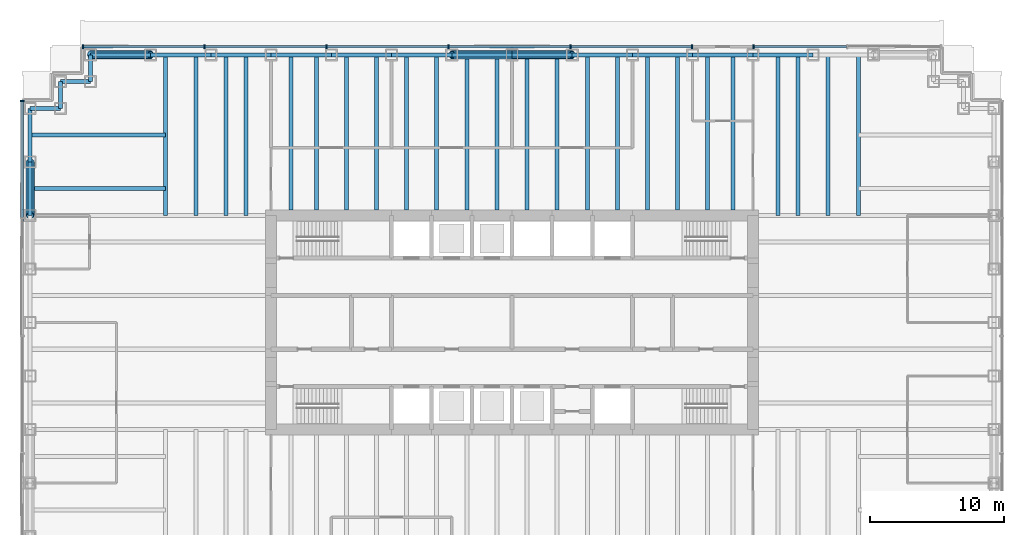
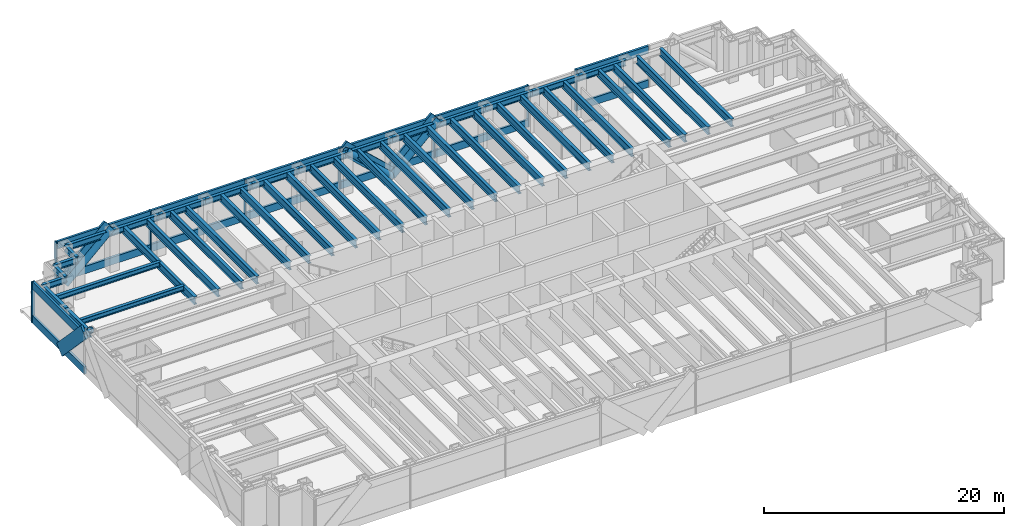
# One storey, part 4 of 14: 44 beams, 30 members, 3 elements without a shape of their own.
"""IFC4 building model written with IfcOpenShell, lengths in metres."""

from ifc_helpers import new_model, si_unit, direction, frame, origin, origin_2d, place, context, subcontext, project, spatial, rectangle, hollow_circle, i_section, extrude, material, material_profile, profile_set, type_object, element, aggregate, save


model = new_model("IFC4")

# Units and contexts
model_context = context("Model", 3, precision=1e-05, world=origin(), true_north=direction((0.0, 1.0)))
body_context = subcontext(model_context, "Body", "Model", "MODEL_VIEW")
ifc_project = project(units=[si_unit("LENGTHUNIT", "METRE"), si_unit("AREAUNIT", "SQUARE_METRE"), si_unit("VOLUMEUNIT", "CUBIC_METRE"), si_unit("PLANEANGLEUNIT", "RADIAN"), si_unit("MASSUNIT", "GRAM", prefix="KILO")], contexts=[model_context])

# Site, building, storey
site_placement = place(None, origin())
site = spatial("IfcSite", under=ifc_project, at=site_placement, CompositionType="ELEMENT")
building_placement = place(site_placement, origin())
building = spatial("IfcBuilding", under=site, at=building_placement, Name="Rheinbord Bourse Tower", CompositionType="ELEMENT")
storey_placement = place(building_placement, frame((0.0, 0.0, 185.800048828125)))
storey = spatial("IfcBuildingStorey", under=building, at=storey_placement, Name="L41", CompositionType="ELEMENT", Elevation=185.800048828125)

# Curtain wall, members
ifc_material_1 = material(Name="Dark glass and black aluminium", Category="aluminium")
curtain_wall_type = type_object("IfcCurtainWallType", Name="CW6 DARK GLASS CURTAIN WALL", PredefinedType="USERDEFINED", material=ifc_material_1)
curtain_wall_1_placement = place(storey_placement, origin())
curtain_wall_1 = element("IfcCurtainWall", 1, at=curtain_wall_1_placement, inside=storey, type_object=curtain_wall_type, Name="Curtain wall CW6 N L41", ObjectType="UNITISED CURTAIN WALL", PredefinedType="USERDEFINED")
ifc_material_2 = material(Name="Black anodised aluminium", Category="aluminium")
ifc_material_profile_1 = material_profile(ifc_material_2, rectangle(XDim=0.219970703125, YDim=1.2099609375, at=origin_2d()), Name="CW6 DIAGONAL MULLION 1210x220")
ifc_profile_set_1 = profile_set([ifc_material_profile_1], Name="Black anodised aluminium")
member_type_1 = type_object("IfcMemberType", Name="CW6 BLACK DIAGONAL MULLION", PredefinedType="USERDEFINED", material=ifc_profile_set_1)
member_1_placement = place(storey_placement, frame((4.5, 44.60009765625, 0.0), z_axis=(0.73105922506, 0.0, 0.682314010889), x_axis=(0.0, 1.0, 0.0)))
member_1 = element("IfcMember", 2, at=member_1_placement, type_object=member_type_1, Name="CW6 diagonal mullion b", ObjectType="DIAGONAL MULLION", PredefinedType="USERDEFINED", context=body_context, shape_type="SweptSolid", body=[
    extrude(rectangle(XDim=0.219970703125, YDim=1.2099609375, at=origin_2d()), origin(), (0.0, 0.0, 1.0), 6.155517578125),
])
member_2_placement = place(storey_placement, frame((36.0, 44.60009765625, 0.0), z_axis=(-0.73105922506, 0.0, 0.682314010889), x_axis=(0.0, -1.0, 0.0)))
member_2 = element("IfcMember", 3, at=member_2_placement, type_object=member_type_1, Name="CW6 diagonal mullion c", ObjectType="DIAGONAL MULLION", PredefinedType="USERDEFINED", context=body_context, shape_type="SweptSolid", body=[
    extrude(rectangle(XDim=0.219970703125, YDim=1.2099609375, at=origin_2d()), origin(), (0.0, 0.0, 1.0), 6.155517578125),
])
member_3_placement = place(storey_placement, frame((36.0, 44.60009765625, 0.0), z_axis=(0.73105922506, 0.0, 0.682314010889), x_axis=(0.0, 1.0, 0.0)))
member_3 = element("IfcMember", 4, at=member_3_placement, type_object=member_type_1, Name="CW6 diagonal mullion d", ObjectType="DIAGONAL MULLION", PredefinedType="USERDEFINED", context=body_context, shape_type="SweptSolid", body=[
    extrude(rectangle(XDim=0.219970703125, YDim=1.2099609375, at=origin_2d()), origin(), (0.0, 0.0, 1.0), 6.155517578125),
])

# Curtain wall, member
curtain_wall_2_placement = place(storey_placement, origin())
curtain_wall_2 = element("IfcCurtainWall", 5, at=curtain_wall_2_placement, inside=storey, type_object=curtain_wall_type, Name="Curtain wall CW6 W L41", ObjectType="UNITISED CURTAIN WALL", PredefinedType="USERDEFINED")
member_4_placement = place(storey_placement, frame((-0.60009765625, 36.0, 0.0), z_axis=(0.0, -0.689659376744, 0.724133926887), x_axis=(1.0, 0.0, 0.0)))
member_4 = element("IfcMember", 6, at=member_4_placement, type_object=member_type_1, Name="CW6 diagonal mullion c", ObjectType="DIAGONAL MULLION", PredefinedType="USERDEFINED", context=body_context, shape_type="SweptSolid", body=[
    extrude(rectangle(XDim=0.219970703125, YDim=1.2099609375, at=origin_2d()), origin(), (0.0, 0.0, 1.0), 5.800048828125),
])

curtain_wall_3_placement = place(storey_placement, origin())
curtain_wall_3 = element("IfcCurtainWall", 7, at=curtain_wall_3_placement, inside=storey, type_object=curtain_wall_type, Name="Curtain wall CW6 N L41", ObjectType="UNITISED CURTAIN WALL", PredefinedType="USERDEFINED")
ifc_material_3 = material(Name="Black anodised aluminium", Category="aluminium")
ifc_material_profile_2 = material_profile(ifc_material_3, rectangle(XDim=0.320068359375, YDim=0.10009765625, at=origin_2d()), Name="CW6 MULLION 100x320")
ifc_profile_set_2 = profile_set([ifc_material_profile_2], Name="Black anodised aluminium")
member_type_2 = type_object("IfcMemberType", Name="CW6 BLACK MULLION", PredefinedType="MULLION", material=ifc_profile_set_2)
member_5_placement = place(storey_placement, frame((54.050048828125, 44.60009765625, 0.0), z_axis=(0.0, 0.0, 1.0), x_axis=(0.0, -1.0, 0.0)))
member_5 = element("IfcMember", 8, at=member_5_placement, type_object=member_type_2, Name="CW6 mullion 3", PredefinedType="MULLION", context=body_context, shape_type="SweptSolid", body=[
    extrude(rectangle(XDim=0.320068359375, YDim=0.10009765625, at=origin_2d()), origin(), (0.0, 0.0, 1.0), 4.199951171875),
])

# Member
member_6_placement = place(storey_placement, frame((49.449951171875, 44.60009765625, 0.0), z_axis=(0.0, 0.0, 1.0), x_axis=(0.0, -1.0, 0.0)))
member_6 = element("IfcMember", 9, at=member_6_placement, type_object=member_type_2, Name="CW6 mullion 1", PredefinedType="MULLION", context=body_context, shape_type="SweptSolid", body=[
    extrude(rectangle(XDim=0.320068359375, YDim=0.10009765625, at=origin_2d()), origin(), (0.0, 0.0, 1.0), 4.199951171875),
])

member_7_placement = place(storey_placement, frame((40.3798828125, 44.60009765625, 0.0), z_axis=(0.0, 0.0, 1.0), x_axis=(0.0, -1.0, 0.0)))
member_7 = element("IfcMember", 10, at=member_7_placement, type_object=member_type_2, Name="CW6 mullion 2", PredefinedType="MULLION", context=body_context, shape_type="SweptSolid", body=[
    extrude(rectangle(XDim=0.320068359375, YDim=0.10009765625, at=origin_2d()), origin(), (0.0, 0.0, 1.0), 4.199951171875),
])

member_8_placement = place(storey_placement, frame((31.260009765625, 44.60009765625, 0.0), z_axis=(0.0, 0.0, 1.0), x_axis=(0.0, -1.0, 0.0)))
member_8 = element("IfcMember", 11, at=member_8_placement, type_object=member_type_2, Name="CW6 mullion 3", PredefinedType="MULLION", context=body_context, shape_type="SweptSolid", body=[
    extrude(rectangle(XDim=0.320068359375, YDim=0.10009765625, at=origin_2d()), origin(), (0.0, 0.0, 1.0), 4.199951171875),
])

member_9_placement = place(storey_placement, frame((22.139892578125, 44.60009765625, 0.0), z_axis=(0.0, 0.0, 1.0), x_axis=(0.0, -1.0, 0.0)))
member_9 = element("IfcMember", 12, at=member_9_placement, type_object=member_type_2, Name="CW6 mullion 4", PredefinedType="MULLION", context=body_context, shape_type="SweptSolid", body=[
    extrude(rectangle(XDim=0.320068359375, YDim=0.10009765625, at=origin_2d()), origin(), (0.0, 0.0, 1.0), 4.199951171875),
])

member_10_placement = place(storey_placement, frame((13.02001953125, 44.60009765625, 0.0), z_axis=(0.0, 0.0, 1.0), x_axis=(0.0, -1.0, 0.0)))
member_10 = element("IfcMember", 13, at=member_10_placement, type_object=member_type_2, Name="CW6 mullion 5", PredefinedType="MULLION", context=body_context, shape_type="SweptSolid", body=[
    extrude(rectangle(XDim=0.320068359375, YDim=0.10009765625, at=origin_2d()), origin(), (0.0, 0.0, 1.0), 4.199951171875),
])

member_11_placement = place(storey_placement, frame((3.949951171875, 44.60009765625, 0.0), z_axis=(0.0, 0.0, 1.0), x_axis=(0.0, -1.0, 0.0)))
member_11 = element("IfcMember", 14, at=member_11_placement, type_object=member_type_2, Name="CW6 mullion 6", PredefinedType="MULLION", context=body_context, shape_type="SweptSolid", body=[
    extrude(rectangle(XDim=0.320068359375, YDim=0.10009765625, at=origin_2d()), origin(), (0.0, 0.0, 1.0), 4.199951171875),
])

member_12_placement = place(storey_placement, frame((-0.60009765625, 40.550048828125, 0.0), z_axis=(0.0, 0.0, 1.0), x_axis=(1.0, 0.0, 0.0)))
member_12 = element("IfcMember", 15, at=member_12_placement, type_object=member_type_2, Name="CW6 mullion 1", PredefinedType="MULLION", context=body_context, shape_type="SweptSolid", body=[
    extrude(rectangle(XDim=0.320068359375, YDim=0.10009765625, at=origin_2d()), origin(), (0.0, 0.0, 1.0), 4.199951171875),
])

ifc_material_4 = material(Name="Black anodised aluminium", Category="aluminium")
ifc_material_profile_3 = material_profile(ifc_material_4, rectangle(XDim=0.219970703125, YDim=0.75, at=origin_2d()), Name="CW6 TRANSOM 750x220")
ifc_profile_set_3 = profile_set([ifc_material_profile_3], Name="Black anodised aluminium")
member_type_3 = type_object("IfcMemberType", Name="CW6 BLACK TRANSOM", PredefinedType="USERDEFINED", material=ifc_profile_set_3)
member_13_placement = place(storey_placement, frame((61.0, 44.60009765625, 0.375), z_axis=(-1.0, 0.0, 0.0), x_axis=(0.0, -1.0, 0.0)))
member_13 = element("IfcMember", 16, at=member_13_placement, type_object=member_type_3, Name="CW6 transom 2.1", ObjectType="TRANSOM", PredefinedType="USERDEFINED", context=body_context, shape_type="SweptSolid", body=[
    extrude(rectangle(XDim=0.219970703125, YDim=0.75, at=origin_2d()), origin(), (0.0, 0.0, 1.0), 6.89990234375),
])

member_14_placement = place(storey_placement, frame((61.0, 44.60009765625, 3.824951171875), z_axis=(-1.0, 0.0, 0.0), x_axis=(0.0, -1.0, 0.0)))
member_14 = element("IfcMember", 17, at=member_14_placement, type_object=member_type_3, Name="CW6 transom 2.2", ObjectType="TRANSOM", PredefinedType="USERDEFINED", context=body_context, shape_type="SweptSolid", body=[
    extrude(rectangle(XDim=0.219970703125, YDim=0.75, at=origin_2d()), origin(), (0.0, 0.0, 1.0), 6.89990234375),
])

aggregate(curtain_wall_3, [member_5, member_13, member_14])

member_15_placement = place(storey_placement, frame((49.39990234375, 44.60009765625, 0.375), z_axis=(-1.0, 0.0, 0.0), x_axis=(0.0, -1.0, 0.0)))
member_15 = element("IfcMember", 18, at=member_15_placement, type_object=member_type_3, Name="CW6 transom 1.1", ObjectType="TRANSOM", PredefinedType="USERDEFINED", context=body_context, shape_type="SweptSolid", body=[
    extrude(rectangle(XDim=0.219970703125, YDim=0.75, at=origin_2d()), origin(), (0.0, 0.0, 1.0), 8.969970703125),
])

member_16_placement = place(storey_placement, frame((49.39990234375, 44.60009765625, 3.824951171875), z_axis=(-1.0, 0.0, 0.0), x_axis=(0.0, -1.0, 0.0)))
member_16 = element("IfcMember", 19, at=member_16_placement, type_object=member_type_3, Name="CW6 transom 1.2", ObjectType="TRANSOM", PredefinedType="USERDEFINED", context=body_context, shape_type="SweptSolid", body=[
    extrude(rectangle(XDim=0.219970703125, YDim=0.75, at=origin_2d()), origin(), (0.0, 0.0, 1.0), 8.969970703125),
])

member_17_placement = place(storey_placement, frame((40.330078125, 44.60009765625, 0.375), z_axis=(-1.0, 0.0, 0.0), x_axis=(0.0, -1.0, 0.0)))
member_17 = element("IfcMember", 20, at=member_17_placement, type_object=member_type_3, Name="CW6 transom 2.1", ObjectType="TRANSOM", PredefinedType="USERDEFINED", context=body_context, shape_type="SweptSolid", body=[
    extrude(rectangle(XDim=0.219970703125, YDim=0.75, at=origin_2d()), origin(), (0.0, 0.0, 1.0), 9.02001953125),
])

member_18_placement = place(storey_placement, frame((40.330078125, 44.60009765625, 3.824951171875), z_axis=(-1.0, 0.0, 0.0), x_axis=(0.0, -1.0, 0.0)))
member_18 = element("IfcMember", 21, at=member_18_placement, type_object=member_type_3, Name="CW6 transom 2.2", ObjectType="TRANSOM", PredefinedType="USERDEFINED", context=body_context, shape_type="SweptSolid", body=[
    extrude(rectangle(XDim=0.219970703125, YDim=0.75, at=origin_2d()), origin(), (0.0, 0.0, 1.0), 9.02001953125),
])

member_19_placement = place(storey_placement, frame((31.2099609375, 44.60009765625, 0.375), z_axis=(-1.0, 0.0, 0.0), x_axis=(0.0, -1.0, 0.0)))
member_19 = element("IfcMember", 22, at=member_19_placement, type_object=member_type_3, Name="CW6 transom 3.1", ObjectType="TRANSOM", PredefinedType="USERDEFINED", context=body_context, shape_type="SweptSolid", body=[
    extrude(rectangle(XDim=0.219970703125, YDim=0.75, at=origin_2d()), origin(), (0.0, 0.0, 1.0), 9.02001953125),
])

member_20_placement = place(storey_placement, frame((31.2099609375, 44.60009765625, 3.824951171875), z_axis=(-1.0, 0.0, 0.0), x_axis=(0.0, -1.0, 0.0)))
member_20 = element("IfcMember", 23, at=member_20_placement, type_object=member_type_3, Name="CW6 transom 3.2", ObjectType="TRANSOM", PredefinedType="USERDEFINED", context=body_context, shape_type="SweptSolid", body=[
    extrude(rectangle(XDim=0.219970703125, YDim=0.75, at=origin_2d()), origin(), (0.0, 0.0, 1.0), 9.02001953125),
])

member_21_placement = place(storey_placement, frame((22.090087890625, 44.60009765625, 0.375), z_axis=(-1.0, 0.0, 0.0), x_axis=(0.0, -1.0, 0.0)))
member_21 = element("IfcMember", 24, at=member_21_placement, type_object=member_type_3, Name="CW6 transom 4.1", ObjectType="TRANSOM", PredefinedType="USERDEFINED", context=body_context, shape_type="SweptSolid", body=[
    extrude(rectangle(XDim=0.219970703125, YDim=0.75, at=origin_2d()), origin(), (0.0, 0.0, 1.0), 9.02001953125),
])

member_22_placement = place(storey_placement, frame((22.090087890625, 44.60009765625, 3.824951171875), z_axis=(-1.0, 0.0, 0.0), x_axis=(0.0, -1.0, 0.0)))
member_22 = element("IfcMember", 25, at=member_22_placement, type_object=member_type_3, Name="CW6 transom 4.2", ObjectType="TRANSOM", PredefinedType="USERDEFINED", context=body_context, shape_type="SweptSolid", body=[
    extrude(rectangle(XDim=0.219970703125, YDim=0.75, at=origin_2d()), origin(), (0.0, 0.0, 1.0), 9.02001953125),
])

member_23_placement = place(storey_placement, frame((12.969970703125, 44.60009765625, 0.375), z_axis=(-1.0, 0.0, 0.0), x_axis=(0.0, -1.0, 0.0)))
member_23 = element("IfcMember", 26, at=member_23_placement, type_object=member_type_3, Name="CW6 transom 5.1", ObjectType="TRANSOM", PredefinedType="USERDEFINED", context=body_context, shape_type="SweptSolid", body=[
    extrude(rectangle(XDim=0.219970703125, YDim=0.75, at=origin_2d()), origin(), (0.0, 0.0, 1.0), 8.969970703125),
])

member_24_placement = place(storey_placement, frame((12.969970703125, 44.60009765625, 3.824951171875), z_axis=(-1.0, 0.0, 0.0), x_axis=(0.0, -1.0, 0.0)))
member_24 = element("IfcMember", 27, at=member_24_placement, type_object=member_type_3, Name="CW6 transom 5.2", ObjectType="TRANSOM", PredefinedType="USERDEFINED", context=body_context, shape_type="SweptSolid", body=[
    extrude(rectangle(XDim=0.219970703125, YDim=0.75, at=origin_2d()), origin(), (0.0, 0.0, 1.0), 8.969970703125),
])

aggregate(curtain_wall_1, [member_6, member_7, member_8, member_9, member_10, member_11, member_15, member_16, member_17, member_18, member_19, member_20, member_21, member_22, member_23, member_24, member_1, member_2, member_3])

member_25_placement = place(storey_placement, frame((-0.60009765625, 40.5, 0.375), z_axis=(0.0, -1.0, 0.0), x_axis=(1.0, 0.0, 0.0)))
member_25 = element("IfcMember", 28, at=member_25_placement, type_object=member_type_3, Name="CW6 transom 1.1", ObjectType="TRANSOM", PredefinedType="USERDEFINED", context=body_context, shape_type="SweptSolid", body=[
    extrude(rectangle(XDim=0.219970703125, YDim=0.75, at=origin_2d()), origin(), (0.0, 0.0, 1.0), 8.64990234375),
])

member_26_placement = place(storey_placement, frame((-0.60009765625, 40.5, 3.824951171875), z_axis=(0.0, -1.0, 0.0), x_axis=(1.0, 0.0, 0.0)))
member_26 = element("IfcMember", 29, at=member_26_placement, type_object=member_type_3, Name="CW6 transom 1.2", ObjectType="TRANSOM", PredefinedType="USERDEFINED", context=body_context, shape_type="SweptSolid", body=[
    extrude(rectangle(XDim=0.219970703125, YDim=0.75, at=origin_2d()), origin(), (0.0, 0.0, 1.0), 8.64990234375),
])

aggregate(curtain_wall_2, [member_12, member_25, member_26, member_4])

# Beams
ifc_material_5 = material(Name="Steel S460", Category="steel")
ifc_material_profile_4 = material_profile(ifc_material_5, i_section(OverallWidth=0.300048828125, OverallDepth=0.800048828125, WebThickness=0.017578125, FlangeThickness=0.032958984375, at=origin_2d()), Name="HEB 800")
ifc_profile_set_4 = profile_set([ifc_material_profile_4], Name="Steel S460")
beam_type_1 = type_object("IfcBeamType", Name="FLOOR BEAM HEB 800", PredefinedType="BEAM", material=ifc_profile_set_4)
for number, where, z_axis, x_axis, name in (
    (30, (10.125, 44.0, 3.639892578125), (0.0, -1.0, 0.0), (1.0, 0.0, 0.0), "Floor beam N-9a L42"),
    (31, (12.375, 44.0, 3.639892578125), (0.0, -1.0, 0.0), (1.0, 0.0, 0.0), "Floor beam N-9b L42"),
    (32, (14.625, 44.0, 3.639892578125), (0.0, -1.0, 0.0), (1.0, 0.0, 0.0), "Floor beam N-13.5a L42"),
    (33, (16.125, 44.0, 3.639892578125), (0.0, -1.0, 0.0), (1.0, 0.0, 0.0), "Floor beam N-13.5b L42"),
):
    element("IfcBeam", number, at=place(storey_placement, frame(where, z_axis=z_axis, x_axis=x_axis)), inside=storey, type_object=beam_type_1, Name=name, PredefinedType="BEAM", context=body_context, shape_type="SweptSolid", body=[
        extrude(i_section(OverallWidth=0.300048828125, OverallDepth=0.800048828125, WebThickness=0.017578125, FlangeThickness=0.032958984375, at=origin_2d()), origin(), (0.0, 0.0, 1.0), 12.0),
    ])
for number, where, z_axis, x_axis, name in (
    (34, (19.5, 44.0, 3.639892578125), (0.0, -1.0, 0.0), (1.0, 0.0, 0.0), "Floor beam N-18a L42"),
    (35, (21.375, 44.0, 3.639892578125), (0.0, -1.0, 0.0), (1.0, 0.0, 0.0), "Floor beam N-18b L42"),
    (36, (23.625, 44.0, 3.639892578125), (0.0, -1.0, 0.0), (1.0, 0.0, 0.0), "Floor beam N-22.5a L42"),
    (37, (25.875, 44.0, 3.639892578125), (0.0, -1.0, 0.0), (1.0, 0.0, 0.0), "Floor beam N-22.5b L42"),
    (38, (28.125, 44.0, 3.639892578125), (0.0, -1.0, 0.0), (1.0, 0.0, 0.0), "Floor beam N-27a L42"),
    (39, (30.375, 44.0, 3.639892578125), (0.0, -1.0, 0.0), (1.0, 0.0, 0.0), "Floor beam N-27b L42"),
    (40, (32.625, 44.0, 3.639892578125), (0.0, -1.0, 0.0), (1.0, 0.0, 0.0), "Floor beam N-31.5a L42"),
    (41, (34.875, 44.0, 3.639892578125), (0.0, -1.0, 0.0), (1.0, 0.0, 0.0), "Floor beam N-31.5b L42"),
    (42, (37.125, 44.0, 3.639892578125), (0.0, -1.0, 0.0), (1.0, 0.0, 0.0), "Floor beam N-36a L42"),
    (43, (39.375, 44.0, 3.639892578125), (0.0, -1.0, 0.0), (1.0, 0.0, 0.0), "Floor beam N-36b L42"),
    (44, (41.625, 44.0, 3.639892578125), (0.0, -1.0, 0.0), (1.0, 0.0, 0.0), "Floor beam N-40.5a L42"),
    (45, (43.875, 44.0, 3.639892578125), (0.0, -1.0, 0.0), (1.0, 0.0, 0.0), "Floor beam N-40.5b L42"),
    (46, (46.125, 44.0, 3.639892578125), (0.0, -1.0, 0.0), (1.0, 0.0, 0.0), "Floor beam N-45a L42"),
    (47, (48.375, 44.0, 3.639892578125), (0.0, -1.0, 0.0), (1.0, 0.0, 0.0), "Floor beam N-45b L42"),
    (48, (50.625, 44.0, 3.639892578125), (0.0, -1.0, 0.0), (1.0, 0.0, 0.0), "Floor beam N-49.5a L42"),
    (49, (52.5, 44.0, 3.639892578125), (0.0, -1.0, 0.0), (1.0, 0.0, 0.0), "Floor beam N-49.5b L42"),
):
    element("IfcBeam", number, at=place(storey_placement, frame(where, z_axis=z_axis, x_axis=x_axis)), inside=storey, type_object=beam_type_1, Name=name, PredefinedType="BEAM", context=body_context, shape_type="SweptSolid", body=[
        extrude(i_section(OverallWidth=0.300048828125, OverallDepth=0.800048828125, WebThickness=0.017578125, FlangeThickness=0.032958984375, at=origin_2d()), origin(), (0.0, 0.0, 1.0), 11.60009765625),
    ])
for number, where, z_axis, x_axis, name in (
    (50, (55.875, 44.0, 3.639892578125), (0.0, -1.0, 0.0), (1.0, 0.0, 0.0), "Floor beam N-54a L42"),
    (51, (57.375, 44.0, 3.639892578125), (0.0, -1.0, 0.0), (1.0, 0.0, 0.0), "Floor beam N-54b L42"),
    (52, (59.625, 44.0, 3.639892578125), (0.0, -1.0, 0.0), (1.0, 0.0, 0.0), "Floor beam N-58.5a L42"),
    (53, (61.875, 44.0, 3.639892578125), (0.0, -1.0, 0.0), (1.0, 0.0, 0.0), "Floor beam N-58.5b L42"),
):
    element("IfcBeam", number, at=place(storey_placement, frame(where, z_axis=z_axis, x_axis=x_axis)), inside=storey, type_object=beam_type_1, Name=name, PredefinedType="BEAM", context=body_context, shape_type="SweptSolid", body=[
        extrude(i_section(OverallWidth=0.300048828125, OverallDepth=0.800048828125, WebThickness=0.017578125, FlangeThickness=0.032958984375, at=origin_2d()), origin(), (0.0, 0.0, 1.0), 12.0),
    ])

# Members
ifc_material_6 = material(Name="Steel S460", Category="steel")
ifc_material_profile_5 = material_profile(ifc_material_6, hollow_circle(Radius=0.304931640625, WallThickness=0.0400390625, at=origin_2d()), Name="CHS 610x40")
ifc_profile_set_5 = profile_set([ifc_material_profile_5], Name="Steel S460")
member_type_4 = type_object("IfcMemberType", Name="MEGABRACE CHS 610x40", PredefinedType="BRACE", material=ifc_profile_set_5)
for number, where, z_axis, x_axis, name in (
    (54, (4.5, 44.0, 0.0), (0.73105922506, 0.0, 0.682314010889), (0.0, 1.0, 0.0), "Megabrace N face line b L41"),
    (55, (36.0, 44.0, 0.0), (-0.73105922506, 0.0, 0.682314010889), (0.0, -1.0, 0.0), "Megabrace N face line c L41"),
    (56, (36.0, 44.0, 0.0), (0.73105922506, 0.0, 0.682314010889), (0.0, 1.0, 0.0), "Megabrace N face line d L41"),
):
    element("IfcMember", number, at=place(storey_placement, frame(where, z_axis=z_axis, x_axis=x_axis)), inside=storey, type_object=member_type_4, Name=name, PredefinedType="BRACE", context=body_context, shape_type="SweptSolid", body=[
        extrude(hollow_circle(Radius=0.304931640625, WallThickness=0.0400390625, at=origin_2d()), origin(), (0.0, 0.0, 1.0), 6.155517578125),
    ])
member_27_placement = place(storey_placement, frame((0.0, 36.0, 0.0), z_axis=(0.0, -0.689659376744, 0.724133926887), x_axis=(1.0, 0.0, 0.0)))
element("IfcMember", 57, at=member_27_placement, inside=storey, type_object=member_type_4, Name="Megabrace W face line c L41", PredefinedType="BRACE", context=body_context, shape_type="SweptSolid", body=[
    extrude(hollow_circle(Radius=0.304931640625, WallThickness=0.0400390625, at=origin_2d()), origin(), (0.0, 0.0, 1.0), 5.800048828125),
])

# Beams
ifc_material_7 = material(Name="Steel S460", Category="steel")
ifc_material_profile_6 = material_profile(ifc_material_7, i_section(OverallWidth=0.300048828125, OverallDepth=0.60009765625, WebThickness=0.015380859375, FlangeThickness=0.030029296875, at=origin_2d()), Name="HEB 600")
ifc_profile_set_6 = profile_set([ifc_material_profile_6], Name="Steel S460")
beam_type_2 = type_object("IfcBeamType", Name="SPANDREL HEB 600", PredefinedType="SPANDREL", material=ifc_profile_set_6)
for number, where, z_axis, x_axis, name in (
    (58, (58.5, 44.0, 3.739990234375), (-1.0, 0.0, 0.0), (0.0, -1.0, 0.0), "Spandrel N-58.5-N-54 under L42"),
    (59, (54.0, 44.0, 3.739990234375), (-1.0, 0.0, 0.0), (0.0, -1.0, 0.0), "Spandrel N-54-N-49.5 under L42"),
    (60, (49.5, 44.0, 3.739990234375), (-1.0, 0.0, 0.0), (0.0, -1.0, 0.0), "Spandrel N-49.5-N-45 under L42"),
    (61, (45.0, 44.0, 3.739990234375), (-1.0, 0.0, 0.0), (0.0, -1.0, 0.0), "Spandrel N-45-N-40.5 under L42"),
    (62, (40.5, 44.0, 3.739990234375), (-1.0, 0.0, 0.0), (0.0, -1.0, 0.0), "Spandrel N-40.5-N-36 under L42"),
    (63, (36.0, 44.0, 3.739990234375), (-1.0, 0.0, 0.0), (0.0, -1.0, 0.0), "Spandrel N-36-N-31.5 under L42"),
    (64, (31.5, 44.0, 3.739990234375), (-1.0, 0.0, 0.0), (0.0, -1.0, 0.0), "Spandrel N-31.5-N-27 under L42"),
    (65, (27.0, 44.0, 3.739990234375), (-1.0, 0.0, 0.0), (0.0, -1.0, 0.0), "Spandrel N-27-N-22.5 under L42"),
    (66, (22.5, 44.0, 3.739990234375), (-1.0, 0.0, 0.0), (0.0, -1.0, 0.0), "Spandrel N-22.5-N-18 under L42"),
    (67, (18.0, 44.0, 3.739990234375), (-1.0, 0.0, 0.0), (0.0, -1.0, 0.0), "Spandrel N-18-N-13.5 under L42"),
    (68, (13.5, 44.0, 3.739990234375), (-1.0, 0.0, 0.0), (0.0, -1.0, 0.0), "Spandrel N-13.5-N-9 under L42"),
    (69, (9.0, 44.0, 3.739990234375), (-1.0, 0.0, 0.0), (0.0, -1.0, 0.0), "Spandrel N-9-NW-E under L42"),
):
    element("IfcBeam", number, at=place(storey_placement, frame(where, z_axis=z_axis, x_axis=x_axis)), inside=storey, type_object=beam_type_2, Name=name, PredefinedType="SPANDREL", context=body_context, shape_type="SweptSolid", body=[
        extrude(i_section(OverallWidth=0.300048828125, OverallDepth=0.60009765625, WebThickness=0.015380859375, FlangeThickness=0.030029296875, at=origin_2d()), origin(), (0.0, 0.0, 1.0), 4.5),
    ])
beam_1_placement = place(storey_placement, frame((4.5, 44.0, 3.739990234375), z_axis=(0.0, -1.0, 0.0), x_axis=(1.0, 0.0, 0.0)))
element("IfcBeam", 70, at=beam_1_placement, inside=storey, type_object=beam_type_2, Name="Spandrel NW-E-NW-D under L42", PredefinedType="SPANDREL", context=body_context, shape_type="SweptSolid", body=[
    extrude(i_section(OverallWidth=0.300048828125, OverallDepth=0.60009765625, WebThickness=0.015380859375, FlangeThickness=0.030029296875, at=origin_2d()), origin(), (0.0, 0.0, 1.0), 2.0),
])
beam_2_placement = place(storey_placement, frame((4.5, 42.0, 3.739990234375), z_axis=(-1.0, 0.0, 0.0), x_axis=(0.0, -1.0, 0.0)))
element("IfcBeam", 71, at=beam_2_placement, inside=storey, type_object=beam_type_2, Name="Spandrel NW-D-NW-C under L42", PredefinedType="SPANDREL", context=body_context, shape_type="SweptSolid", body=[
    extrude(i_section(OverallWidth=0.300048828125, OverallDepth=0.60009765625, WebThickness=0.015380859375, FlangeThickness=0.030029296875, at=origin_2d()), origin(), (0.0, 0.0, 1.0), 2.25),
])
beam_3_placement = place(storey_placement, frame((2.25, 42.0, 3.739990234375), z_axis=(0.0, -1.0, 0.0), x_axis=(1.0, 0.0, 0.0)))
element("IfcBeam", 72, at=beam_3_placement, inside=storey, type_object=beam_type_2, Name="Spandrel NW-C-NW-B under L42", PredefinedType="SPANDREL", context=body_context, shape_type="SweptSolid", body=[
    extrude(i_section(OverallWidth=0.300048828125, OverallDepth=0.60009765625, WebThickness=0.015380859375, FlangeThickness=0.030029296875, at=origin_2d()), origin(), (0.0, 0.0, 1.0), 2.0),
])
beam_4_placement = place(storey_placement, frame((2.25, 40.0, 3.739990234375), z_axis=(-1.0, 0.0, 0.0), x_axis=(0.0, -1.0, 0.0)))
element("IfcBeam", 73, at=beam_4_placement, inside=storey, type_object=beam_type_2, Name="Spandrel NW-B-NW-A under L42", PredefinedType="SPANDREL", context=body_context, shape_type="SweptSolid", body=[
    extrude(i_section(OverallWidth=0.300048828125, OverallDepth=0.60009765625, WebThickness=0.015380859375, FlangeThickness=0.030029296875, at=origin_2d()), origin(), (0.0, 0.0, 1.0), 2.25),
])
for number, where, z_axis, x_axis, name in (
    (74, (0.0, 40.0, 3.739990234375), (0.0, -1.0, 0.0), (1.0, 0.0, 0.0), "Spandrel NW-A-W-36 under L42"),
    (75, (0.0, 36.0, 3.739990234375), (0.0, -1.0, 0.0), (1.0, 0.0, 0.0), "Spandrel W-36-W-32 under L42"),
):
    element("IfcBeam", number, at=place(storey_placement, frame(where, z_axis=z_axis, x_axis=x_axis)), inside=storey, type_object=beam_type_2, Name=name, PredefinedType="SPANDREL", context=body_context, shape_type="SweptSolid", body=[
        extrude(i_section(OverallWidth=0.300048828125, OverallDepth=0.60009765625, WebThickness=0.015380859375, FlangeThickness=0.030029296875, at=origin_2d()), origin(), (0.0, 0.0, 1.0), 4.0),
    ])
ifc_material_8 = material(Name="Steel S460", Category="steel")
ifc_material_profile_7 = material_profile(ifc_material_8, i_section(OverallWidth=0.300048828125, OverallDepth=0.5, WebThickness=0.014404296875, FlangeThickness=0.028076171875, at=origin_2d()), Name="HEB 500")
ifc_profile_set_7 = profile_set([ifc_material_profile_7], Name="Steel S460")
beam_type_3 = type_object("IfcBeamType", Name="TIE BEAM HEB 500", PredefinedType="JOIST", material=ifc_profile_set_7)
for number, where, z_axis, x_axis, name in (
    (76, (0.0, 34.0, 3.7900390625), (1.0, 0.0, 0.0), (0.0, 1.0, 0.0), "Tie west 34 L42"),
    (77, (0.0, 38.0, 3.7900390625), (1.0, 0.0, 0.0), (0.0, 1.0, 0.0), "Tie west 38 L42"),
):
    element("IfcBeam", number, at=place(storey_placement, frame(where, z_axis=z_axis, x_axis=x_axis)), inside=storey, type_object=beam_type_3, Name=name, PredefinedType="JOIST", context=body_context, shape_type="SweptSolid", body=[
        extrude(i_section(OverallWidth=0.300048828125, OverallDepth=0.5, WebThickness=0.014404296875, FlangeThickness=0.028076171875, at=origin_2d()), origin(), (0.0, 0.0, 1.0), 10.125),
    ])

save(model, "model.ifc")
